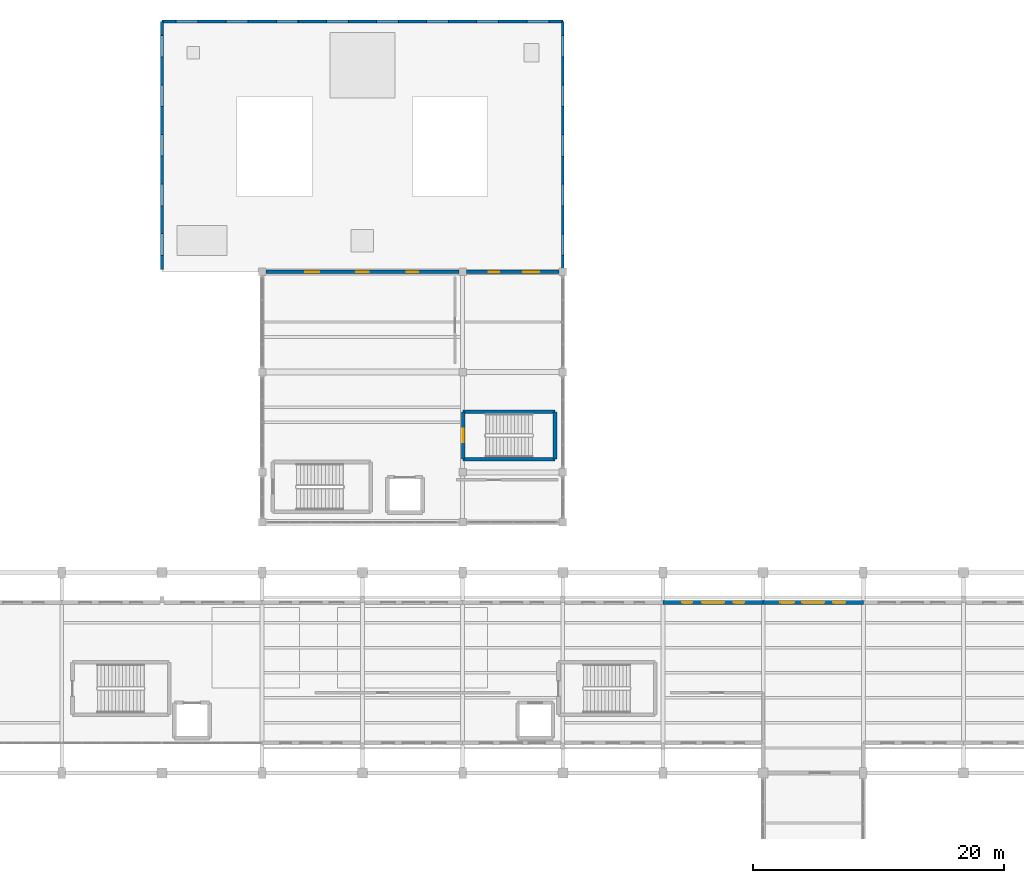
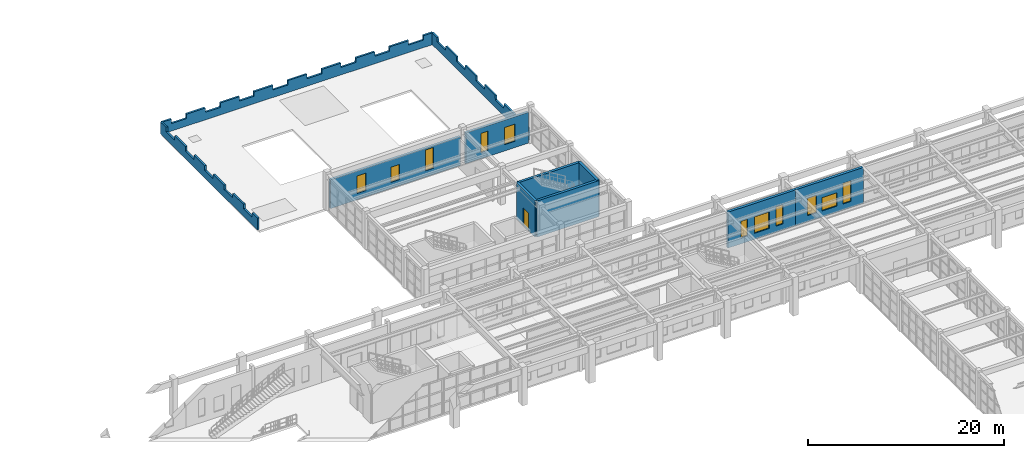
# One storey, part 45 of 59: 11 walls, 11 windows, 1 door, 12 openings.
"""IFC4 building model written with IfcOpenShell, lengths in metres."""

from ifc_helpers import new_model, si_unit, direction, frame, frame_2d, origin, place, context, subcontext, project, spatial, polyline, rectangle, outline, extrude, material, layer, layer_set, type_object, element, fill, save


model = new_model("IFC4")

# Units and contexts
model_context = context("Model", 3, precision=1e-05, world=origin(), true_north=direction((0.0, 1.0)))
body_context = subcontext(model_context, "Body", "Model", "MODEL_VIEW")
ifc_project = project(units=[si_unit("LENGTHUNIT", "METRE"), si_unit("AREAUNIT", "SQUARE_METRE"), si_unit("VOLUMEUNIT", "CUBIC_METRE"), si_unit("PLANEANGLEUNIT", "RADIAN"), si_unit("MASSUNIT", "GRAM", prefix="KILO")], contexts=[model_context])

# Site, building, storey
site_placement = place(None, origin())
site = spatial("IfcSite", under=ifc_project, at=site_placement, CompositionType="ELEMENT")
building_placement = place(site_placement, origin())
building = spatial("IfcBuilding", under=site, at=building_placement, Name="Serraluz Foothill Cableway Terminal", CompositionType="ELEMENT")
storey_placement = place(building_placement, frame((0.0, 0.0, 4.800048828125)))
storey = spatial("IfcBuildingStorey", under=building, at=storey_placement, Name="L01", CompositionType="ELEMENT", Elevation=4.800048828125)

# Wall, openings, windows
ifc_material_1 = material(Name="Fired clay masonry brick (f'm 12 MPa)", Category="masonry")
ifc_layer_1 = layer(ifc_material_1, 0.280029296875, Name="Fired clay masonry brick (f'm 12 MPa)", Category="masonry")
ifc_layer_set_1 = layer_set([ifc_layer_1], Name="Fired clay masonry brick (f'm 12 MPa)")
wall_type_1 = type_object("IfcWallType", Name="TYP-WL-EXT-280", PredefinedType="STANDARD", material=ifc_layer_set_1)
wall_1_placement = place(storey_placement, frame((80.300048828125, 96.0, 0.0), z_axis=(0.0, 0.0, 1.0), x_axis=(1.0, 0.0, 0.0)))
wall_1 = element("IfcWall", 1, at=wall_1_placement, inside=storey, type_object=wall_type_1, Name="Exterior Masonry Wall EW-V4N-L01-1", PredefinedType="STANDARD", context=body_context, shape_type="SweptSolid", body=[
    extrude(rectangle(XDim=15.39990234375, YDim=0.280029296875, at=frame_2d((7.699951171875, 0.0))), origin(), (0.0, 0.0, 1.0), 3.599853515625),
])
opening_1_placement = place(wall_1_placement, frame((3.14599609375, 0.0, 0.780029296875)))
opening_1 = element("IfcOpeningElement", 2, at=opening_1_placement, cuts=wall_1, Name="Opening W-04", PredefinedType="OPENING", context=body_context, shape_type="SweptSolid", body=[
    extrude(rectangle(XDim=1.10009765625, YDim=2.199951171875, at=frame_2d((0.550048828125, 1.10009765625))), frame((0.0, 0.14990234375, 0.0), z_axis=(0.0, -1.0, 0.0), x_axis=(1.0, 0.0, 0.0)), (0.0, 0.0, 1.0), 0.300048828125),
])
opening_2_placement = place(wall_1_placement, frame((7.199951171875, 0.0, 0.780029296875)))
opening_2 = element("IfcOpeningElement", 3, at=opening_2_placement, cuts=wall_1, Name="Opening W-24", PredefinedType="OPENING", context=body_context, shape_type="SweptSolid", body=[
    extrude(rectangle(XDim=1.0, YDim=1.89990234375, at=frame_2d((0.5, 0.949951171875))), frame((0.0, 0.14990234375, 0.0), z_axis=(0.0, -1.0, 0.0), x_axis=(1.0, 0.0, 0.0)), (0.0, 0.0, 1.0), 0.300048828125),
])
opening_3_placement = place(wall_1_placement, frame((11.22900390625, 0.0, 0.780029296875)))
opening_3 = element("IfcOpeningElement", 4, at=opening_3_placement, cuts=wall_1, Name="Opening W-03", PredefinedType="OPENING", context=body_context, shape_type="SweptSolid", body=[
    extrude(rectangle(XDim=0.949951171875, YDim=2.60009765625, at=frame_2d((0.47509765625, 1.300048828125))), frame((0.0, 0.14990234375, 0.0), z_axis=(0.0, -1.0, 0.0), x_axis=(1.0, 0.0, 0.0)), (0.0, 0.0, 1.0), 0.300048828125),
])
ifc_material_2 = material(Name="Laminated low-E safety glass", Category="glass")
window_type_1 = type_object("IfcWindowType", Name="TYP-WN-095X260", PartitioningType="SINGLE_PANEL", PredefinedType="WINDOW", material=ifc_material_2)
window_1_placement = place(opening_3_placement, origin())
window_1 = element("IfcWindow", 5, at=window_1_placement, inside=storey, type_object=window_type_1, Name="Exterior Window EW-V4N-L01-1-WN3", OverallHeight=2.60009765625, OverallWidth=0.949951171875, PartitioningType="SINGLE_PANEL", PredefinedType="WINDOW", context=body_context, shape_type="SweptSolid", body=[
    extrude(rectangle(XDim=0.949951171875, YDim=2.60009765625, at=frame_2d((0.47509765625, 1.300048828125))), frame((0.0, 0.030029296875, 0.0), z_axis=(0.0, -1.0, 0.0), x_axis=(1.0, 0.0, 0.0)), (0.0, 0.0, 1.0), 0.06005859375),
])
fill(opening_3, window_1)
window_type_2 = type_object("IfcWindowType", Name="TYP-WN-100X190", PartitioningType="SINGLE_PANEL", PredefinedType="WINDOW", material=ifc_material_2)
window_2_placement = place(opening_2_placement, origin())
window_2 = element("IfcWindow", 6, at=window_2_placement, inside=storey, type_object=window_type_2, Name="Exterior Window EW-V4N-L01-1-WN2", OverallHeight=1.89990234375, OverallWidth=1.0, PartitioningType="SINGLE_PANEL", PredefinedType="WINDOW", context=body_context, shape_type="SweptSolid", body=[
    extrude(rectangle(XDim=1.0, YDim=1.89990234375, at=frame_2d((0.5, 0.949951171875))), frame((0.0, 0.030029296875, 0.0), z_axis=(0.0, -1.0, 0.0), x_axis=(1.0, 0.0, 0.0)), (0.0, 0.0, 1.0), 0.06005859375),
])
fill(opening_2, window_2)
window_type_3 = type_object("IfcWindowType", Name="TYP-WN-110X220", PartitioningType="SINGLE_PANEL", PredefinedType="WINDOW", material=ifc_material_2)
window_3_placement = place(opening_1_placement, origin())
window_3 = element("IfcWindow", 7, at=window_3_placement, inside=storey, type_object=window_type_3, Name="Exterior Window EW-V4N-L01-1-WN1", OverallHeight=2.199951171875, OverallWidth=1.10009765625, PartitioningType="SINGLE_PANEL", PredefinedType="WINDOW", context=body_context, shape_type="SweptSolid", body=[
    extrude(rectangle(XDim=1.10009765625, YDim=2.199951171875, at=frame_2d((0.550048828125, 1.10009765625))), frame((0.0, 0.030029296875, 0.0), z_axis=(0.0, -1.0, 0.0), x_axis=(1.0, 0.0, 0.0)), (0.0, 0.0, 1.0), 0.06005859375),
])
fill(opening_1, window_3)

wall_2_placement = place(storey_placement, frame((96.300048828125, 96.0, 0.0), z_axis=(0.0, 0.0, 1.0), x_axis=(1.0, 0.0, 0.0)))
wall_2 = element("IfcWall", 8, at=wall_2_placement, inside=storey, type_object=wall_type_1, Name="Exterior Masonry Wall EW-V4N-L01-2", PredefinedType="STANDARD", context=body_context, shape_type="SweptSolid", body=[
    extrude(rectangle(XDim=7.39990234375, YDim=0.280029296875, at=frame_2d((3.699951171875, 0.0))), origin(), (0.0, 0.0, 1.0), 3.849853515625),
])
opening_4_placement = place(wall_2_placement, frame((1.794921875, 0.0, 0.780029296875)))
opening_4 = element("IfcOpeningElement", 9, at=opening_4_placement, cuts=wall_2, Name="Opening W-02", PredefinedType="OPENING", context=body_context, shape_type="SweptSolid", body=[
    extrude(rectangle(XDim=0.85009765625, YDim=2.39990234375, at=frame_2d((0.425048828125, 1.199951171875))), frame((0.0, 0.14990234375, 0.0), z_axis=(0.0, -1.0, 0.0), x_axis=(1.0, 0.0, 0.0)), (0.0, 0.0, 1.0), 0.300048828125),
])
opening_5_placement = place(wall_2_placement, frame((4.554931640625, 0.0, 0.780029296875)))
opening_5 = element("IfcOpeningElement", 10, at=opening_5_placement, cuts=wall_2, Name="Opening W-25", PredefinedType="OPENING", context=body_context, shape_type="SweptSolid", body=[
    extrude(rectangle(XDim=1.25, YDim=2.14990234375, at=frame_2d((0.625, 1.074951171875))), frame((0.0, 0.14990234375, 0.0), z_axis=(0.0, -1.0, 0.0), x_axis=(1.0, 0.0, 0.0)), (0.0, 0.0, 1.0), 0.300048828125),
])
window_type_4 = type_object("IfcWindowType", Name="TYP-WN-085X240", PartitioningType="SINGLE_PANEL", PredefinedType="WINDOW", material=ifc_material_2)
window_4_placement = place(opening_4_placement, origin())
window_4 = element("IfcWindow", 11, at=window_4_placement, inside=storey, type_object=window_type_4, Name="Exterior Window EW-V4N-L01-2-WN1", OverallHeight=2.39990234375, OverallWidth=0.85009765625, PartitioningType="SINGLE_PANEL", PredefinedType="WINDOW", context=body_context, shape_type="SweptSolid", body=[
    extrude(rectangle(XDim=0.85009765625, YDim=2.39990234375, at=frame_2d((0.425048828125, 1.199951171875))), frame((0.0, 0.030029296875, 0.0), z_axis=(0.0, -1.0, 0.0), x_axis=(1.0, 0.0, 0.0)), (0.0, 0.0, 1.0), 0.06005859375),
])
fill(opening_4, window_4)
window_type_5 = type_object("IfcWindowType", Name="TYP-WN-125X215", PartitioningType="DOUBLE_PANEL_VERTICAL", PredefinedType="WINDOW", material=ifc_material_2)
window_5_placement = place(opening_5_placement, origin())
window_5 = element("IfcWindow", 12, at=window_5_placement, inside=storey, type_object=window_type_5, Name="Exterior Window EW-V4N-L01-2-WN2", OverallHeight=2.14990234375, OverallWidth=1.25, PartitioningType="SINGLE_PANEL", PredefinedType="WINDOW", context=body_context, shape_type="SweptSolid", body=[
    extrude(rectangle(XDim=1.25, YDim=2.14990234375, at=frame_2d((0.625, 1.074951171875))), frame((0.0, 0.030029296875, 0.0), z_axis=(0.0, -1.0, 0.0), x_axis=(1.0, 0.0, 0.0)), (0.0, 0.0, 1.0), 0.06005859375),
])
fill(opening_5, window_5)

ifc_material_3 = material(Name="Dark clinker clay masonry brick (f'm 14 MPa)", Category="masonry")
ifc_layer_2 = layer(ifc_material_3, 0.320068359375, Name="Dark clinker clay masonry brick (f'm 14 MPa)", Category="masonry")
ifc_layer_set_2 = layer_set([ifc_layer_2], Name="Dark clinker clay masonry brick (f'm 14 MPa)")
wall_type_2 = type_object("IfcWallType", Name="TYP-WL-EXT-320", PredefinedType="STANDARD", material=ifc_layer_set_2)
wall_3_placement = place(storey_placement, frame((112.0, 69.60009765625, 0.0), z_axis=(0.0, 0.0, 1.0), x_axis=(1.0, 0.0, 0.0)))
wall_3 = element("IfcWall", 13, at=wall_3_placement, inside=storey, type_object=wall_type_2, Name="Exterior Masonry Wall EW-V1N-L01-112", PredefinedType="STANDARD", context=body_context, shape_type="SweptSolid", body=[
    extrude(rectangle(XDim=8.0, YDim=0.320068359375, at=frame_2d((4.0, 0.0))), origin(), (0.0, 0.0, 1.0), 4.474853515625),
])
opening_6_placement = place(wall_3_placement, frame((1.52001953125, 0.0, 0.75)))
opening_6 = element("IfcOpeningElement", 14, at=opening_6_placement, cuts=wall_3, Name="Opening W-36", PredefinedType="OPENING", context=body_context, shape_type="SweptSolid", body=[
    extrude(rectangle(XDim=0.800048828125, YDim=2.050048828125, at=frame_2d((0.39990234375, 1.02490234375))), frame((0.0, 0.169921875, 0.0), z_axis=(0.0, -1.0, 0.0), x_axis=(1.0, 0.0, 0.0)), (0.0, 0.0, 1.0), 0.340087890625),
])
opening_7_placement = place(wall_3_placement, frame((3.1201171875, 0.0, 0.75)))
opening_7 = element("IfcOpeningElement", 15, at=opening_7_placement, cuts=wall_3, Name="Opening W-30", PredefinedType="OPENING", context=body_context, shape_type="SweptSolid", body=[
    extrude(rectangle(XDim=1.760009765625, YDim=2.050048828125, at=frame_2d((0.8798828125, 1.02490234375))), frame((0.0, 0.169921875, 0.0), z_axis=(0.0, -1.0, 0.0), x_axis=(1.0, 0.0, 0.0)), (0.0, 0.0, 1.0), 0.340087890625),
])
opening_8_placement = place(wall_3_placement, frame((5.655029296875, 0.0, 0.75)))
opening_8 = element("IfcOpeningElement", 16, at=opening_8_placement, cuts=wall_3, Name="Opening W-02", PredefinedType="OPENING", context=body_context, shape_type="SweptSolid", body=[
    extrude(rectangle(XDim=0.85009765625, YDim=2.39990234375, at=frame_2d((0.425048828125, 1.199951171875))), frame((0.0, 0.169921875, 0.0), z_axis=(0.0, -1.0, 0.0), x_axis=(1.0, 0.0, 0.0)), (0.0, 0.0, 1.0), 0.340087890625),
])
window_type_6 = type_object("IfcWindowType", Name="TYP-WN-080X205", PartitioningType="SINGLE_PANEL", PredefinedType="WINDOW", material=ifc_material_2)
window_6_placement = place(opening_6_placement, origin())
window_6 = element("IfcWindow", 17, at=window_6_placement, inside=storey, type_object=window_type_6, Name="Exterior Window EW-V1N-L01-112-WN1", OverallHeight=2.050048828125, OverallWidth=0.800048828125, PartitioningType="SINGLE_PANEL", PredefinedType="WINDOW", context=body_context, shape_type="SweptSolid", body=[
    extrude(rectangle(XDim=0.800048828125, YDim=2.050048828125, at=frame_2d((0.39990234375, 1.02490234375))), frame((0.0, 0.030029296875, 0.0), z_axis=(0.0, -1.0, 0.0), x_axis=(1.0, 0.0, 0.0)), (0.0, 0.0, 1.0), 0.06005859375),
])
fill(opening_6, window_6)
window_7_placement = place(opening_8_placement, origin())
window_7 = element("IfcWindow", 18, at=window_7_placement, inside=storey, type_object=window_type_4, Name="Exterior Window EW-V1N-L01-112-WN3", OverallHeight=2.39990234375, OverallWidth=0.85009765625, PartitioningType="SINGLE_PANEL", PredefinedType="WINDOW", context=body_context, shape_type="SweptSolid", body=[
    extrude(rectangle(XDim=0.85009765625, YDim=2.39990234375, at=frame_2d((0.425048828125, 1.199951171875))), frame((0.0, 0.030029296875, 0.0), z_axis=(0.0, -1.0, 0.0), x_axis=(1.0, 0.0, 0.0)), (0.0, 0.0, 1.0), 0.06005859375),
])
fill(opening_8, window_7)
window_type_7 = type_object("IfcWindowType", Name="TYP-WN-255X205", PartitioningType="TRIPLE_PANEL_VERTICAL", PredefinedType="WINDOW", material=ifc_material_2)
window_8_placement = place(opening_7_placement, origin())
window_8 = element("IfcWindow", 19, at=window_8_placement, inside=storey, type_object=window_type_7, Name="Exterior Window EW-V1N-L01-112-WN2", OverallHeight=2.050048828125, OverallWidth=1.760009765625, PartitioningType="SINGLE_PANEL", PredefinedType="WINDOW", context=body_context, shape_type="SweptSolid", body=[
    extrude(rectangle(XDim=1.760009765625, YDim=2.050048828125, at=frame_2d((0.8798828125, 1.02490234375))), frame((0.0, 0.030029296875, 0.0), z_axis=(0.0, -1.0, 0.0), x_axis=(1.0, 0.0, 0.0)), (0.0, 0.0, 1.0), 0.06005859375),
])
fill(opening_7, window_8)

wall_4_placement = place(storey_placement, frame((120.0, 69.60009765625, 0.0), z_axis=(0.0, 0.0, 1.0), x_axis=(1.0, 0.0, 0.0)))
wall_4 = element("IfcWall", 20, at=wall_4_placement, inside=storey, type_object=wall_type_2, Name="Exterior Masonry Wall EW-V1N-L01-120", PredefinedType="STANDARD", context=body_context, shape_type="SweptSolid", body=[
    extrude(rectangle(XDim=8.0, YDim=0.320068359375, at=frame_2d((4.0, 0.0))), origin(), (0.0, 0.0, 1.0), 4.474853515625),
])
opening_9_placement = place(wall_4_placement, frame((1.3701171875, 0.0, 0.75)))
opening_9 = element("IfcOpeningElement", 21, at=opening_9_placement, cuts=wall_4, Name="Opening W-04", PredefinedType="OPENING", context=body_context, shape_type="SweptSolid", body=[
    extrude(rectangle(XDim=1.10009765625, YDim=2.199951171875, at=frame_2d((0.550048828125, 1.10009765625))), frame((0.0, 0.169921875, 0.0), z_axis=(0.0, -1.0, 0.0), x_axis=(1.0, 0.0, 0.0)), (0.0, 0.0, 1.0), 0.340087890625),
])
opening_10_placement = place(wall_4_placement, frame((3.1201171875, 0.0, 0.75)))
opening_10 = element("IfcOpeningElement", 22, at=opening_10_placement, cuts=wall_4, Name="Opening W-31", PredefinedType="OPENING", context=body_context, shape_type="SweptSolid", body=[
    extrude(rectangle(XDim=1.760009765625, YDim=1.64990234375, at=frame_2d((0.8798828125, 0.824951171875))), frame((0.0, 0.169921875, 0.0), z_axis=(0.0, -1.0, 0.0), x_axis=(1.0, 0.0, 0.0)), (0.0, 0.0, 1.0), 0.340087890625),
])
opening_11_placement = place(wall_4_placement, frame((5.60498046875, 0.0, 0.75)))
opening_11 = element("IfcOpeningElement", 23, at=opening_11_placement, cuts=wall_4, Name="Opening W-03", PredefinedType="OPENING", context=body_context, shape_type="SweptSolid", body=[
    extrude(rectangle(XDim=0.949951171875, YDim=2.60009765625, at=frame_2d((0.47509765625, 1.300048828125))), frame((0.0, 0.169921875, 0.0), z_axis=(0.0, -1.0, 0.0), x_axis=(1.0, 0.0, 0.0)), (0.0, 0.0, 1.0), 0.340087890625),
])
window_9_placement = place(opening_11_placement, origin())
window_9 = element("IfcWindow", 24, at=window_9_placement, inside=storey, type_object=window_type_1, Name="Exterior Window EW-V1N-L01-120-WN3", OverallHeight=2.60009765625, OverallWidth=0.949951171875, PartitioningType="SINGLE_PANEL", PredefinedType="WINDOW", context=body_context, shape_type="SweptSolid", body=[
    extrude(rectangle(XDim=0.949951171875, YDim=2.60009765625, at=frame_2d((0.47509765625, 1.300048828125))), frame((0.0, 0.030029296875, 0.0), z_axis=(0.0, -1.0, 0.0), x_axis=(1.0, 0.0, 0.0)), (0.0, 0.0, 1.0), 0.06005859375),
])
fill(opening_11, window_9)
window_10_placement = place(opening_9_placement, origin())
window_10 = element("IfcWindow", 25, at=window_10_placement, inside=storey, type_object=window_type_3, Name="Exterior Window EW-V1N-L01-120-WN1", OverallHeight=2.199951171875, OverallWidth=1.10009765625, PartitioningType="SINGLE_PANEL", PredefinedType="WINDOW", context=body_context, shape_type="SweptSolid", body=[
    extrude(rectangle(XDim=1.10009765625, YDim=2.199951171875, at=frame_2d((0.550048828125, 1.10009765625))), frame((0.0, 0.030029296875, 0.0), z_axis=(0.0, -1.0, 0.0), x_axis=(1.0, 0.0, 0.0)), (0.0, 0.0, 1.0), 0.06005859375),
])
fill(opening_9, window_10)
window_type_8 = type_object("IfcWindowType", Name="TYP-WN-285X165", PartitioningType="TRIPLE_PANEL_VERTICAL", PredefinedType="WINDOW", material=ifc_material_2)
window_11_placement = place(opening_10_placement, origin())
window_11 = element("IfcWindow", 26, at=window_11_placement, inside=storey, type_object=window_type_8, Name="Exterior Window EW-V1N-L01-120-WN2", OverallHeight=1.64990234375, OverallWidth=1.760009765625, PartitioningType="SINGLE_PANEL", PredefinedType="WINDOW", context=body_context, shape_type="SweptSolid", body=[
    extrude(rectangle(XDim=1.760009765625, YDim=1.64990234375, at=frame_2d((0.8798828125, 0.824951171875))), frame((0.0, 0.030029296875, 0.0), z_axis=(0.0, -1.0, 0.0), x_axis=(1.0, 0.0, 0.0)), (0.0, 0.0, 1.0), 0.06005859375),
])
fill(opening_10, window_11)

# Walls
ifc_layer_3 = layer(ifc_material_1, 0.18994140625, Name="Fired clay masonry brick (f'm 12 MPa)", Category="masonry")
ifc_layer_set_3 = layer_set([ifc_layer_3], Name="Fired clay masonry brick (f'm 12 MPa)")
wall_type_3 = type_object("IfcWallType", Name="TYP-WL-PAR-190", PredefinedType="PARAPET", material=ifc_layer_set_3)
wall_5_placement = place(storey_placement, frame((104.0, 116.0, 0.06005859375), z_axis=(0.0, 0.0, 1.0), x_axis=(0.0, -1.0, 0.0)))
element("IfcWall", 27, at=wall_5_placement, inside=storey, type_object=wall_type_3, Name="Stepped Brick Parapet Wall WP-V4N-3", PredefinedType="PARAPET", context=body_context, shape_type="SweptSolid", body=[
    extrude(outline(polyline([(0.0, 0.0), (19.800048828125, 0.0), (19.800048828125, 1.489990234375), (18.701171875, 1.489990234375), (18.691162109375, 0.93994140625), (16.958740234375, 0.93994140625), (16.94873046875, 1.489990234375), (15.840087890625, 1.489990234375), (15.830078125, 1.489990234375), (14.7412109375, 1.489990234375), (14.731201171875, 0.93994140625), (12.998779296875, 0.93994140625), (12.98876953125, 1.489990234375), (11.8798828125, 1.489990234375), (11.8701171875, 1.489990234375), (10.78125, 1.489990234375), (10.771240234375, 0.93994140625), (9.038818359375, 0.93994140625), (9.02880859375, 1.489990234375), (7.919921875, 1.489990234375), (7.909912109375, 1.489990234375), (6.8212890625, 1.489990234375), (6.811279296875, 0.93994140625), (5.078857421875, 0.93994140625), (5.06884765625, 1.489990234375), (3.9599609375, 1.489990234375), (3.949951171875, 1.489990234375), (2.861083984375, 1.489990234375), (2.851318359375, 0.93994140625), (1.118896484375, 0.93994140625), (1.10888671875, 1.489990234375), (0.0, 1.489990234375), (0.0, 0.0)])), frame((0.0, 0.094970703125, 0.0), z_axis=(0.0, -1.0, 0.0), x_axis=(1.0, 0.0, 0.0)), (0.0, 0.0, 1.0), 0.18994140625),
])
ifc_layer_4 = layer(ifc_material_3, 0.219970703125, Name="Dark clinker clay masonry brick (f'm 14 MPa)", Category="masonry")
ifc_layer_set_4 = layer_set([ifc_layer_4], Name="Dark clinker clay masonry brick (f'm 14 MPa)")
wall_type_4 = type_object("IfcWallType", Name="TYP-WL-PAR-220", PredefinedType="PARAPET", material=ifc_layer_set_4)
wall_6_placement = place(storey_placement, frame((72.0, 116.0, 0.06005859375), z_axis=(0.0, 0.0, 1.0), x_axis=(1.0, 0.0, 0.0)))
element("IfcWall", 28, at=wall_6_placement, inside=storey, type_object=wall_type_4, Name="Stepped Brick Parapet Wall WP-V4N-1", PredefinedType="PARAPET", context=body_context, shape_type="SweptSolid", body=[
    extrude(outline(polyline([(0.0, 0.0), (32.0, 0.0), (32.0, 1.489990234375), (30.889892578125, 1.489990234375), (30.8798828125, 0.93994140625), (29.1298828125, 0.93994140625), (29.1201171875, 1.489990234375), (28.0, 1.489990234375), (27.989990234375, 1.489990234375), (26.889892578125, 1.489990234375), (26.8798828125, 0.93994140625), (25.1298828125, 0.93994140625), (25.1201171875, 1.489990234375), (24.0, 1.489990234375), (23.989990234375, 1.489990234375), (22.889892578125, 1.489990234375), (22.8798828125, 0.93994140625), (21.1298828125, 0.93994140625), (21.1201171875, 1.489990234375), (20.0, 1.489990234375), (19.989990234375, 1.489990234375), (18.889892578125, 1.489990234375), (18.8798828125, 0.93994140625), (17.1298828125, 0.93994140625), (17.1201171875, 1.489990234375), (16.0, 1.489990234375), (15.989990234375, 1.489990234375), (14.889892578125, 1.489990234375), (14.8798828125, 0.93994140625), (13.1298828125, 0.93994140625), (13.1201171875, 1.489990234375), (12.0, 1.489990234375), (11.989990234375, 1.489990234375), (10.889892578125, 1.489990234375), (10.8798828125, 0.93994140625), (9.1298828125, 0.93994140625), (9.1201171875, 1.489990234375), (8.0, 1.489990234375), (7.989990234375, 1.489990234375), (6.889892578125, 1.489990234375), (6.8798828125, 0.93994140625), (5.1298828125, 0.93994140625), (5.1201171875, 1.489990234375), (4.0, 1.489990234375), (3.989990234375, 1.489990234375), (2.889892578125, 1.489990234375), (2.8798828125, 0.93994140625), (1.1298828125, 0.93994140625), (1.1201171875, 1.489990234375), (0.0, 1.489990234375), (0.0, 0.0)])), frame((0.0, 0.10986328125, 0.0), z_axis=(0.0, -1.0, 0.0), x_axis=(1.0, 0.0, 0.0)), (0.0, 0.0, 1.0), 0.219970703125),
])
wall_7_placement = place(storey_placement, frame((72.0, 96.199951171875, 0.06005859375), z_axis=(0.0, 0.0, 1.0), x_axis=(0.0, 1.0, 0.0)))
element("IfcWall", 29, at=wall_7_placement, inside=storey, type_object=wall_type_4, Name="Stepped Brick Parapet Wall WP-V4N-2", PredefinedType="PARAPET", context=body_context, shape_type="SweptSolid", body=[
    extrude(outline(polyline([(0.0, 0.0), (19.800048828125, 0.0), (19.800048828125, 1.489990234375), (18.701171875, 1.489990234375), (18.691162109375, 0.93994140625), (16.958740234375, 0.93994140625), (16.94873046875, 1.489990234375), (15.840087890625, 1.489990234375), (15.830078125, 1.489990234375), (14.7412109375, 1.489990234375), (14.731201171875, 0.93994140625), (12.998779296875, 0.93994140625), (12.98876953125, 1.489990234375), (11.8798828125, 1.489990234375), (11.8701171875, 1.489990234375), (10.78125, 1.489990234375), (10.771240234375, 0.93994140625), (9.038818359375, 0.93994140625), (9.02880859375, 1.489990234375), (7.919921875, 1.489990234375), (7.909912109375, 1.489990234375), (6.8212890625, 1.489990234375), (6.811279296875, 0.93994140625), (5.078857421875, 0.93994140625), (5.06884765625, 1.489990234375), (3.9599609375, 1.489990234375), (3.949951171875, 1.489990234375), (2.861083984375, 1.489990234375), (2.851318359375, 0.93994140625), (1.118896484375, 0.93994140625), (1.10888671875, 1.489990234375), (0.0, 1.489990234375), (0.0, 0.0)])), frame((0.0, 0.10986328125, 0.0), z_axis=(0.0, -1.0, 0.0), x_axis=(1.0, 0.0, 0.0)), (0.0, 0.0, 1.0), 0.219970703125),
])
ifc_material_4 = material(Name="Concrete C35/45 (f'c 35 MPa)", Category="concrete")
ifc_layer_5 = layer(ifc_material_4, 0.300048828125, Name="Concrete C35/45 (f'c 35 MPa)", Category="concrete")
ifc_layer_set_5 = layer_set([ifc_layer_5], Name="Concrete C35/45 (f'c 35 MPa)")
wall_type_5 = type_object("IfcWallType", Name="TYP-WL-SHR-350", PredefinedType="SHEAR", material=ifc_layer_set_5)
wall_8_placement = place(storey_placement, frame((103.375, 81.050048828125, 0.0), z_axis=(0.0, 0.0, 1.0), x_axis=(-1.0, 0.0, 0.0)))
element("IfcWall", 30, at=wall_8_placement, inside=storey, type_object=wall_type_5, Name="Stair Core Shear Wall CW-ST-09-L01-S", PredefinedType="SHEAR", context=body_context, shape_type="SweptSolid", body=[
    extrude(rectangle(XDim=7.324951171875, YDim=0.300048828125, at=frame_2d((3.66259765625, 0.0))), origin(), (0.0, 0.0, 1.0), 4.5),
])

# Wall, opening, door
wall_9_placement = place(storey_placement, frame((96.050048828125, 81.050048828125, 0.0), z_axis=(0.0, 0.0, 1.0), x_axis=(0.0, 1.0, 0.0)))
wall_9 = element("IfcWall", 31, at=wall_9_placement, inside=storey, type_object=wall_type_5, Name="Stair Core Shear Wall CW-ST-09-L01-W", PredefinedType="SHEAR", context=body_context, shape_type="SweptSolid", body=[
    extrude(rectangle(XDim=3.780029296875, YDim=0.300048828125, at=frame_2d((1.89013671875, 0.0))), origin(), (0.0, 0.0, 1.0), 4.5),
])
opening_12_placement = place(wall_9_placement, frame((1.340087890625, 0.0, 0.0)))
opening_12 = element("IfcOpeningElement", 32, at=opening_12_placement, cuts=wall_9, Name="Opening DF-07", PredefinedType="OPENING", context=body_context, shape_type="SweptSolid", body=[
    extrude(rectangle(XDim=1.10009765625, YDim=2.199951171875, at=frame_2d((0.550048828125, 1.10009765625))), frame((0.0, 0.16015625, 0.0), z_axis=(0.0, -1.0, 0.0), x_axis=(1.0, 0.0, 0.0)), (0.0, 0.0, 1.0), 0.320068359375),
])
ifc_material_5 = material(Name="Galvanized hollow-metal steel sheet", Category="steel")
door_type = type_object("IfcDoorType", Name="TYP-DR-FD60-1100", OperationType="NOTDEFINED", PredefinedType="DOOR", material=ifc_material_5)
door_placement = place(opening_12_placement, origin())
door = element("IfcDoor", 33, at=door_placement, inside=storey, type_object=door_type, Name="Exit Stair Fire Door ST-09 L01", OperationType="SINGLE_SWING_RIGHT", OverallHeight=2.199951171875, OverallWidth=1.10009765625, PredefinedType="DOOR", context=body_context, shape_type="SweptSolid", body=[
    extrude(rectangle(XDim=1.10009765625, YDim=2.199951171875, at=frame_2d((0.550048828125, 1.10009765625))), frame((0.0, 0.02490234375, 0.0), z_axis=(0.0, -1.0, 0.0), x_axis=(1.0, 0.0, 0.0)), (0.0, 0.0, 1.0), 0.050048828125),
])
fill(opening_12, door)

# Walls
wall_10_placement = place(storey_placement, frame((96.050048828125, 84.830078125, 0.0), z_axis=(0.0, 0.0, 1.0), x_axis=(1.0, 0.0, 0.0)))
element("IfcWall", 34, at=wall_10_placement, inside=storey, type_object=wall_type_5, Name="Stair Core Shear Wall CW-ST-09-L01-N", PredefinedType="SHEAR", context=body_context, shape_type="SweptSolid", body=[
    extrude(rectangle(XDim=7.324951171875, YDim=0.300048828125, at=frame_2d((3.66259765625, 0.0))), origin(), (0.0, 0.0, 1.0), 4.5),
])
wall_11_placement = place(storey_placement, frame((103.375, 84.830078125, 0.0), z_axis=(0.0, 0.0, 1.0), x_axis=(0.0, -1.0, 0.0)))
element("IfcWall", 35, at=wall_11_placement, inside=storey, type_object=wall_type_5, Name="Stair Core Shear Wall CW-ST-09-L01-E", PredefinedType="SHEAR", context=body_context, shape_type="SweptSolid", body=[
    extrude(rectangle(XDim=3.780029296875, YDim=0.300048828125, at=frame_2d((1.89013671875, 0.0))), origin(), (0.0, 0.0, 1.0), 4.5),
])

save(model, "model.ifc")
